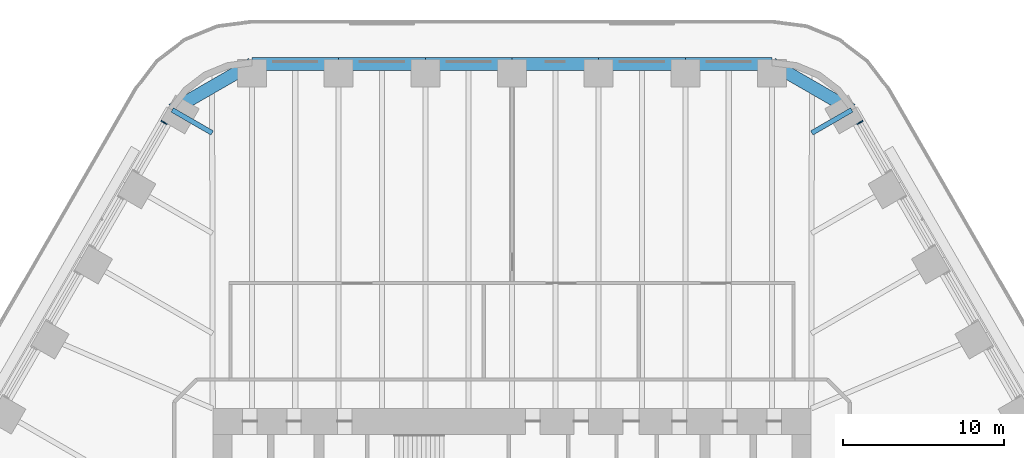
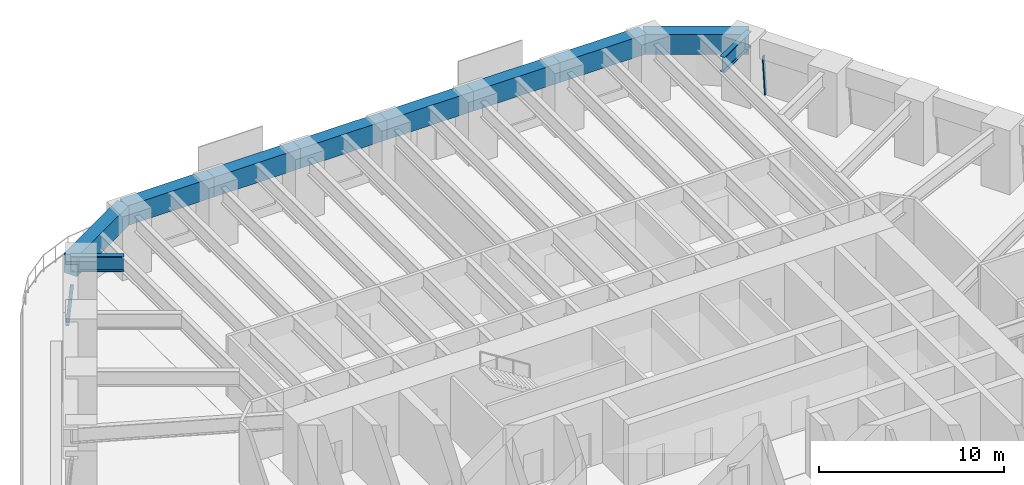
# One storey, part 14 of 23: 10 beams, 2 members, 2 elements without a shape of their own.
"""IFC4 building model written with IfcOpenShell, lengths in metres."""

import ifcopenshell
import ifcopenshell.guid

model = None  # the IFC model being written
_history = None  # IfcOwnerHistory: only IFC2X3 demands one
_inside = {}  # id of a spatial element -> (the spatial element, [elements in it])
_under = {}  # id of a project, library or spatial element -> (it, [spatial elements below it])
_declared = {}  # id of a project -> (the project, [libraries it declares])
_typed = {}  # id of a type object -> (the type object, [elements of that type])
_made_of = {}  # id of a material, layer set ... -> (it, [elements and type objects made of it])


def new_model(schema):
    """Start an empty IFC model of exactly this schema.

    Asked for "IFC4X3", IfcOpenShell would pick the latest addendum, in which some entities
    have other attributes; the version numbers below select the first issue.
    IFC2X3 requires an IfcOwnerHistory on every rooted entity: one is made here for all.
    """
    global model, _history
    if schema == "IFC4X3":
        model = ifcopenshell.file(schema_version=(4, 3, 0, 0))
    else:
        model = ifcopenshell.file(schema=schema)
    _inside.clear()
    _under.clear()
    _declared.clear()
    _typed.clear()
    _made_of.clear()
    _history = None
    if model.schema == "IFC2X3":
        org = make("IfcOrganization", Name="unknown")
        user = make(
            "IfcPersonAndOrganization",
            ThePerson=make("IfcPerson", FamilyName="unknown"),
            TheOrganization=org,
        )
        app = make(
            "IfcApplication",
            ApplicationDeveloper=org,
            Version="unknown",
            ApplicationFullName="unknown",
            ApplicationIdentifier="unknown",
        )
        _history = make(
            "IfcOwnerHistory",
            OwningUser=user,
            OwningApplication=app,
            ChangeAction="ADDED",
            CreationDate=0,
        )
    return model


def make(cls, **values):
    """One entity of the class cls with the attributes given. An attribute that is None is left unset."""
    return model.create_entity(
        cls, **{name: value for name, value in values.items() if value is not None}
    )


def rooted(cls, **values):
    """An entity with a GlobalId (a new one), such as an element, a storey or a relation."""
    return make(cls, GlobalId=ifcopenshell.guid.new(), OwnerHistory=_history, **values)


def si_unit(unit_type, name, prefix=None):
    """IfcSIUnit, for example si_unit("LENGTHUNIT", "METRE", prefix="MILLI")."""
    return make("IfcSIUnit", UnitType=unit_type, Prefix=prefix, Name=name)


def assignment(units):
    """IfcUnitAssignment: the units of a project."""
    return None if units is None else make("IfcUnitAssignment", Units=units)


def point(xyz):
    """IfcCartesianPoint."""
    return None if xyz is None else make("IfcCartesianPoint", Coordinates=xyz)


def direction(xyz):
    """IfcDirection."""
    return None if xyz is None else make("IfcDirection", DirectionRatios=xyz)


def frame(location, z_axis=None, x_axis=None):
    """IfcAxis2Placement3D, a coordinate frame: its origin and axes. An axis left out is left unset."""
    return make(
        "IfcAxis2Placement3D",
        Location=point(location),
        Axis=direction(z_axis),
        RefDirection=direction(x_axis),
    )


def frame_2d(location, x_axis=None):
    """IfcAxis2Placement2D, a coordinate frame in the plane: its origin and x axis."""
    return make(
        "IfcAxis2Placement2D", Location=point(location), RefDirection=direction(x_axis)
    )


def origin():
    """The frame at (0, 0, 0) with its axes left unset."""
    return frame((0.0, 0.0, 0.0))


def origin_2d():
    """The frame at (0, 0) in the plane with its x axis left unset."""
    return frame_2d((0.0, 0.0))


def place(relative_to, where):
    """IfcLocalPlacement: puts the frame where relative to a parent placement (None: the world)."""
    return make(
        "IfcLocalPlacement", PlacementRelTo=relative_to, RelativePlacement=where
    )


def context(
    kind, dimensions, precision=None, world=None, true_north=None, identifier=None
):
    """IfcGeometricRepresentationContext, for example the 3D "Model" context."""
    return make(
        "IfcGeometricRepresentationContext",
        ContextIdentifier=identifier,
        ContextType=kind,
        CoordinateSpaceDimension=dimensions,
        Precision=precision,
        WorldCoordinateSystem=world,
        TrueNorth=true_north,
    )


def subcontext(parent, identifier, kind, view, scale=None):
    """IfcGeometricRepresentationSubContext, for example "Body" below "Model"."""
    return make(
        "IfcGeometricRepresentationSubContext",
        ContextIdentifier=identifier,
        ContextType=kind,
        ParentContext=parent,
        TargetScale=scale,
        TargetView=view,
    )


def project(units=None, contexts=None):
    """IfcProject with its units and contexts."""
    return rooted(
        "IfcProject",
        Name="project",
        RepresentationContexts=contexts,
        UnitsInContext=assignment(units),
    )


def spatial(cls, under=None, at=None, **own):
    """A site, building, storey or space (cls), placed at a placement, below another one or the project."""
    s = rooted(cls, ObjectPlacement=at, **own)
    if under is not None:
        _under.setdefault(under.id(), (under, []))[1].append(s)
    return s


def profile(cls, at=None, kind="AREA", **sizes):
    """A parametric profile (cls). Its sizes go by their IFC names, for example OverallWidth=200.0."""
    return make(cls, ProfileType=kind, Position=at, **sizes)


def rectangle(**sizes):
    """IfcRectangleProfileDef."""
    return profile("IfcRectangleProfileDef", **sizes)


def i_section(**sizes):
    """IfcIShapeProfileDef."""
    return profile("IfcIShapeProfileDef", **sizes)


def extrude(swept, where, along, depth):
    """IfcExtrudedAreaSolid: the profile swept, set in the frame where, extruded along a direction by depth."""
    return make(
        "IfcExtrudedAreaSolid",
        SweptArea=swept,
        Position=where,
        ExtrudedDirection=direction(along),
        Depth=depth,
    )


def shape(context_of_items, identifier, shape_type, items):
    """IfcShapeRepresentation: the items that make up one representation, for example the "Body"."""
    return make(
        "IfcShapeRepresentation",
        ContextOfItems=context_of_items,
        RepresentationIdentifier=identifier,
        RepresentationType=shape_type,
        Items=items,
    )


def material(Name=None, Category=None):
    """IfcMaterial."""
    return make("IfcMaterial", Name=Name, Category=Category)


def material_profile(
    of_material, cross_section, Name=None, Category=None, Priority=None
):
    """IfcMaterialProfile: a cross section and its material."""
    return make(
        "IfcMaterialProfile",
        Name=Name,
        Material=of_material,
        Profile=cross_section,
        Priority=Priority,
        Category=Category,
    )


def profile_set(profiles, Name=None, composite=None):
    """IfcMaterialProfileSet."""
    return make(
        "IfcMaterialProfileSet",
        Name=Name,
        MaterialProfiles=profiles,
        CompositeProfile=composite,
    )


def made_of(thing, what):
    """Note that an element or type object is made of a material, layer set ...; save() writes the relation."""
    if what is not None:
        _made_of.setdefault(what.id(), (what, []))[1].append(thing)
    return thing


def type_object(cls, material=None, **own):
    """A type object (cls), such as IfcWallType, which elements share."""
    return made_of(rooted(cls, **own), material)


def element(
    cls,
    number,
    at=None,
    inside=None,
    cuts=None,
    type_object=None,
    material=None,
    context=None,
    identifier="Body",
    shape_type=None,
    held_by="IfcProductDefinitionShape",
    body=None,
    shapes=None,
    **own,
):
    """One element of the class cls, such as IfcWall. Its Tag is "e" and its number.

    at: its placement. inside: the storey or other place that contains it. cuts: it is an
    opening in that element (IfcRelVoidsElement). A single representation is given by context,
    identifier, shape_type and body (its items); several are given by shapes. held_by: the class
    of the entity that holds the representations. save() writes the other relations.
    """
    e = rooted(cls, Tag="e%d" % number, ObjectPlacement=at, **own)
    if body is not None:
        shapes = [shape(context, identifier, shape_type, body)]
    if shapes is not None:
        e.Representation = make(held_by, Representations=shapes)
    if inside is not None:
        _inside.setdefault(inside.id(), (inside, []))[1].append(e)
    if cuts is not None:
        rooted(
            "IfcRelVoidsElement", RelatingBuildingElement=cuts, RelatedOpeningElement=e
        )
    if type_object is not None:
        _typed.setdefault(type_object.id(), (type_object, []))[1].append(e)
    return made_of(e, material)


def aggregate(whole, parts):
    """IfcRelAggregates: a whole, such as a stair, and the parts it consists of."""
    return rooted("IfcRelAggregates", RelatingObject=whole, RelatedObjects=parts)


def save(model, path):
    """Write the relations noted so far, then the file.

    IfcRelAggregates (storeys below a building ...), IfcRelContainedInSpatialStructure (elements
    in a storey), IfcRelDefinesByType, IfcRelAssociatesMaterial and IfcRelDeclares: one each for
    every whole, place, type object, material and project.
    """
    for whole, parts in _under.values():
        aggregate(whole, parts)
    for where, things in _inside.values():
        rooted(
            "IfcRelContainedInSpatialStructure",
            RelatedElements=things,
            RelatingStructure=where,
        )
    for kind, things in _typed.values():
        rooted("IfcRelDefinesByType", RelatedObjects=things, RelatingType=kind)
    for what, things in _made_of.values():
        rooted("IfcRelAssociatesMaterial", RelatedObjects=things, RelatingMaterial=what)
    for by, libraries in _declared.values():
        rooted("IfcRelDeclares", RelatingContext=by, RelatedDefinitions=libraries)
    model.write(path)


model = new_model("IFC4")

# Units and contexts
model_context = context("Model", 3, precision=1e-05, world=origin(), true_north=direction((0.0, 1.0)))
body_context = subcontext(model_context, "Body", "Model", "MODEL_VIEW")
ifc_project = project(units=[si_unit("LENGTHUNIT", "METRE"), si_unit("AREAUNIT", "SQUARE_METRE"), si_unit("VOLUMEUNIT", "CUBIC_METRE"), si_unit("PLANEANGLEUNIT", "RADIAN"), si_unit("MASSUNIT", "GRAM", prefix="KILO")], contexts=[model_context])

# Site, building, storey
site_placement = place(None, origin())
site = spatial("IfcSite", under=ifc_project, at=site_placement, CompositionType="ELEMENT")
building_placement = place(site_placement, origin())
building = spatial("IfcBuilding", under=site, at=building_placement, Name="Tarfa Lantern Tower", CompositionType="ELEMENT")
storey_placement = place(building_placement, frame((0.0, 0.0, 99.10009765625)))
storey = spatial("IfcBuildingStorey", under=building, at=storey_placement, Name="L22", CompositionType="ELEMENT", Elevation=99.10009765625)

# Curtain wall, member
ifc_material_1 = material(Name="Aluminium framed curtain wall", Category="aluminium")
curtain_wall_type = type_object("IfcCurtainWallType", Name="CW1 CANTED GLAZING LOW ZONE 2700", PredefinedType="USERDEFINED", material=ifc_material_1)
curtain_wall_1_placement = place(storey_placement, origin())
curtain_wall_1 = element("IfcCurtainWall", 1, at=curtain_wall_1_placement, inside=storey, type_object=curtain_wall_type, Name="CW1 NE L22", ObjectType="CURTAIN WALL", PredefinedType="USERDEFINED")
ifc_material_2 = material(Name="Aluminium mullion", Category="aluminium")
ifc_material_profile_1 = material_profile(ifc_material_2, rectangle(XDim=0.06494140625, YDim=0.199951171875, at=origin_2d()), Name="AL MULLION 65x200")
ifc_profile_set_1 = profile_set([ifc_material_profile_1], Name="Aluminium mullion")
member_type = type_object("IfcMemberType", Name="CWM1 MULLION 65x200", PredefinedType="MULLION", material=ifc_profile_set_1)
member_1_placement = place(storey_placement, frame((21.74169921875, 30.142333984375, 0.0), z_axis=(-0.07986442134, -0.046099868913, 0.99573916077), x_axis=(0.499919672301, -0.866071776036, 0.0)))
member_1 = element("IfcMember", 2, at=member_1_placement, type_object=member_type, Name="CW1 mullion 2", PredefinedType="MULLION", context=body_context, shape_type="SweptSolid", body=[
    extrude(rectangle(XDim=0.06494140625, YDim=0.199951171875, at=origin_2d()), origin(), (0.0, 0.0, 1.0), 2.71142578125),
])
aggregate(curtain_wall_1, [member_1])

curtain_wall_2_placement = place(storey_placement, origin())
curtain_wall_2 = element("IfcCurtainWall", 3, at=curtain_wall_2_placement, inside=storey, type_object=curtain_wall_type, Name="CW1 NW L22", ObjectType="CURTAIN WALL", PredefinedType="USERDEFINED")
member_2_placement = place(storey_placement, frame((-21.74169921875, 30.142333984375, 0.0), z_axis=(0.07986442134, -0.046099868913, 0.99573916077), x_axis=(0.499919672301, 0.866071776036, 0.0)))
member_2 = element("IfcMember", 4, at=member_2_placement, type_object=member_type, Name="CW1 mullion 1", PredefinedType="MULLION", context=body_context, shape_type="SweptSolid", body=[
    extrude(rectangle(XDim=0.06494140625, YDim=0.199951171875, at=origin_2d()), origin(), (0.0, 0.0, 1.0), 2.71142578125),
])
aggregate(curtain_wall_2, [member_2])

# Beams
ifc_material_3 = material(Name="Concrete C80/95", Category="concrete")
ifc_material_profile_2 = material_profile(ifc_material_3, rectangle(XDim=0.800048828125, YDim=1.300048828125, at=origin_2d()), Name="RC 800x1300")
ifc_profile_set_2 = profile_set([ifc_material_profile_2], Name="Concrete C80/95")
beam_type_1 = type_object("IfcBeamType", Name="EB1 RC 800x1300", PredefinedType="SPANDREL", material=ifc_profile_set_2)
beam_1_placement = place(storey_placement, frame((21.119384765625, 30.860107421875, 3.349853515625), z_axis=(-0.866033479681, 0.499986011877, 0.0), x_axis=(-0.499986011877, -0.866033479681, 0.0)))
element("IfcBeam", 5, at=beam_1_placement, inside=storey, type_object=beam_type_1, Name="Edge beam NE6", PredefinedType="SPANDREL", context=body_context, shape_type="SweptSolid", body=[
    extrude(rectangle(XDim=0.800048828125, YDim=1.300048828125, at=origin_2d()), origin(), (0.0, 0.0, 1.0), 5.719970703125),
])
beam_2_placement = place(storey_placement, frame((16.165771484375, 33.719970703125, 3.349853515625), z_axis=(-1.0, 0.0, 0.0), x_axis=(0.0, -1.0, 0.0)))
element("IfcBeam", 6, at=beam_2_placement, inside=storey, type_object=beam_type_1, Name="Edge beam N0", PredefinedType="SPANDREL", context=body_context, shape_type="SweptSolid", body=[
    extrude(rectangle(XDim=0.800048828125, YDim=1.300048828125, at=origin_2d()), origin(), (0.0, 0.0, 1.0), 5.388671875),
])
beam_3_placement = place(storey_placement, frame((10.777099609375, 33.719970703125, 3.349853515625), z_axis=(-1.0, 0.0, 0.0), x_axis=(0.0, -1.0, 0.0)))
element("IfcBeam", 7, at=beam_3_placement, inside=storey, type_object=beam_type_1, Name="Edge beam N1", PredefinedType="SPANDREL", context=body_context, shape_type="SweptSolid", body=[
    extrude(rectangle(XDim=0.800048828125, YDim=1.300048828125, at=origin_2d()), origin(), (0.0, 0.0, 1.0), 5.388427734375),
])
for number, where, z_axis, x_axis, name in (
    (8, (5.388671875, 33.719970703125, 3.349853515625), (-1.0, 0.0, 0.0), (0.0, -1.0, 0.0), "Edge beam N2"),
    (9, (0.0, 33.719970703125, 3.349853515625), (-1.0, 0.0, 0.0), (0.0, -1.0, 0.0), "Edge beam N3"),
):
    element("IfcBeam", number, at=place(storey_placement, frame(where, z_axis=z_axis, x_axis=x_axis)), inside=storey, type_object=beam_type_1, Name=name, PredefinedType="SPANDREL", context=body_context, shape_type="SweptSolid", body=[
        extrude(rectangle(XDim=0.800048828125, YDim=1.300048828125, at=origin_2d()), origin(), (0.0, 0.0, 1.0), 5.388671875),
    ])
beam_4_placement = place(storey_placement, frame((-5.388671875, 33.719970703125, 3.349853515625), z_axis=(-1.0, 0.0, 0.0), x_axis=(0.0, -1.0, 0.0)))
element("IfcBeam", 10, at=beam_4_placement, inside=storey, type_object=beam_type_1, Name="Edge beam N4", PredefinedType="SPANDREL", context=body_context, shape_type="SweptSolid", body=[
    extrude(rectangle(XDim=0.800048828125, YDim=1.300048828125, at=origin_2d()), origin(), (0.0, 0.0, 1.0), 5.388427734375),
])
beam_5_placement = place(storey_placement, frame((-10.777099609375, 33.719970703125, 3.349853515625), z_axis=(-1.0, 0.0, 0.0), x_axis=(0.0, -1.0, 0.0)))
element("IfcBeam", 11, at=beam_5_placement, inside=storey, type_object=beam_type_1, Name="Edge beam N5", PredefinedType="SPANDREL", context=body_context, shape_type="SweptSolid", body=[
    extrude(rectangle(XDim=0.800048828125, YDim=1.300048828125, at=origin_2d()), origin(), (0.0, 0.0, 1.0), 5.388671875),
])
beam_6_placement = place(storey_placement, frame((-16.165771484375, 33.719970703125, 3.349853515625), z_axis=(-0.866033479681, -0.499986011877, 0.0), x_axis=(0.499986011877, -0.866033479681, 0.0)))
element("IfcBeam", 12, at=beam_6_placement, inside=storey, type_object=beam_type_1, Name="Edge beam N6", PredefinedType="SPANDREL", context=body_context, shape_type="SweptSolid", body=[
    extrude(rectangle(XDim=0.800048828125, YDim=1.300048828125, at=origin_2d()), origin(), (0.0, 0.0, 1.0), 5.719970703125),
])
ifc_material_4 = material(Name="Steel S460M", Category="steel")
ifc_material_profile_3 = material_profile(ifc_material_4, i_section(OverallWidth=0.302001953125, OverallDepth=1.008056640625, WebThickness=0.02099609375, FlangeThickness=0.0400390625, FilletRadius=0.030029296875, at=origin_2d()), Name="UB1016x305x349")
ifc_profile_set_3 = profile_set([ifc_material_profile_3], Name="Steel S460M")
beam_type_2 = type_object("IfcBeamType", Name="UB1016x305x349", PredefinedType="BEAM", material=ifc_profile_set_3)
for number, where, z_axis, x_axis, name in (
    (13, (21.119384765625, 30.860107421875, 3.495849609375), (-0.866012580594, -0.500022209759, 0.0), (0.500022209759, -0.866012580594, 0.0), "Floor beam NE6"),
    (14, (-21.119384765625, 30.860107421875, 3.495849609375), (0.866012580594, -0.500022209759, 0.0), (0.500022209759, 0.866012580594, 0.0), "Floor beam NW0"),
):
    element("IfcBeam", number, at=place(storey_placement, frame(where, z_axis=z_axis, x_axis=x_axis)), inside=storey, type_object=beam_type_2, Name=name, PredefinedType="BEAM", context=body_context, shape_type="SweptSolid", body=[
        extrude(i_section(OverallWidth=0.302001953125, OverallDepth=1.008056640625, WebThickness=0.02099609375, FlangeThickness=0.0400390625, FilletRadius=0.030029296875, at=origin_2d()), origin(), (0.0, 0.0, 1.0), 2.866943359375),
    ])

save(model, "model.ifc")
